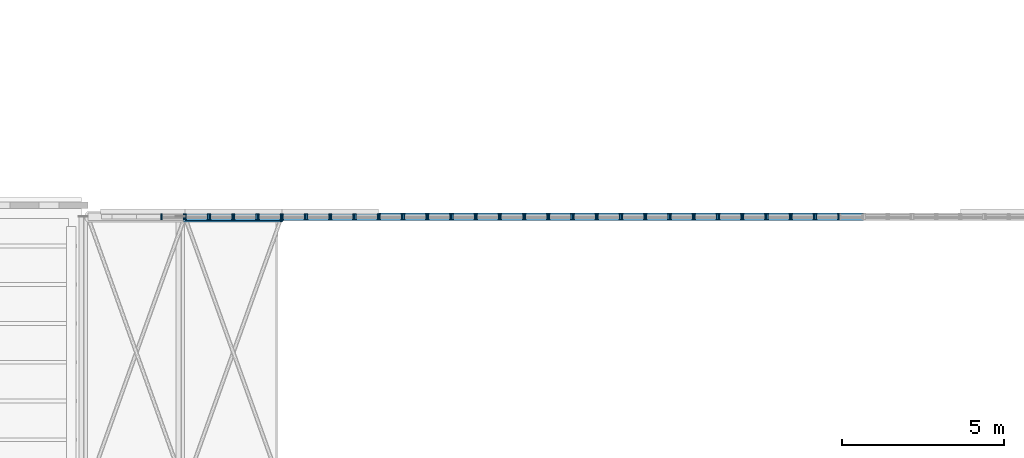
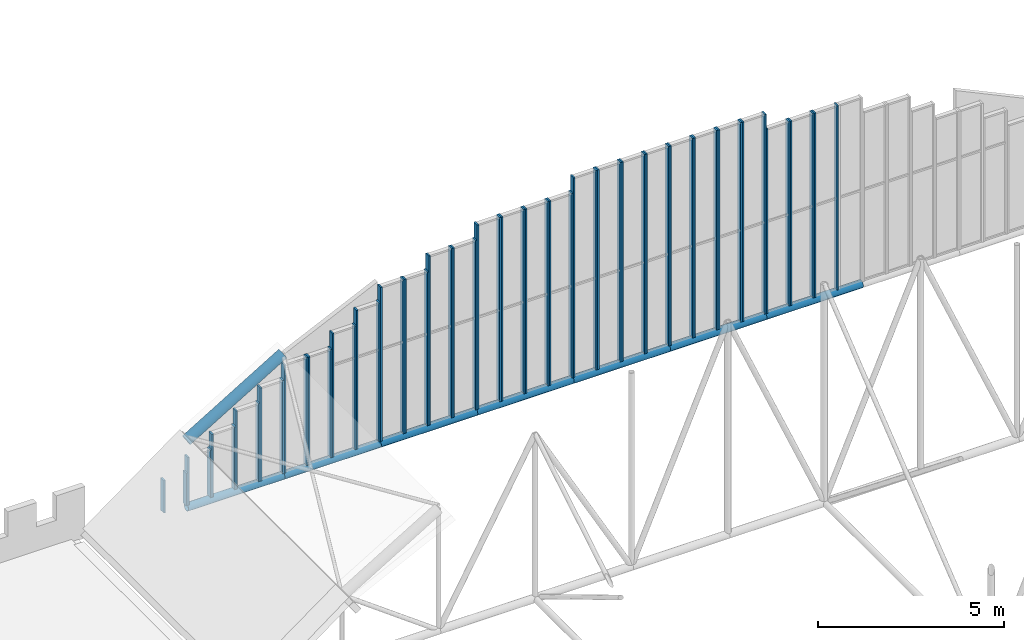
# One storey, part 79 of 153: 64 members, 28 elements without a shape of their own.
"""IFC4 building model written with IfcOpenShell, lengths in metres."""

from ifc_helpers import new_model, si_unit, direction, frame, origin, origin_2d, place, context, subcontext, project, spatial, rectangle, hollow_circle, extrude, material, material_profile, profile_set, type_object, element, aggregate, save


model = new_model("IFC4")

# Units and contexts
model_context = context("Model", 3, precision=1e-05, world=origin(), true_north=direction((0.0, 1.0)))
body_context = subcontext(model_context, "Body", "Model", "MODEL_VIEW")
ifc_project = project(units=[si_unit("LENGTHUNIT", "METRE"), si_unit("AREAUNIT", "SQUARE_METRE"), si_unit("VOLUMEUNIT", "CUBIC_METRE"), si_unit("PLANEANGLEUNIT", "RADIAN"), si_unit("MASSUNIT", "GRAM", prefix="KILO")], contexts=[model_context])

# Site, building, storey
site_placement = place(None, origin())
site = spatial("IfcSite", under=ifc_project, at=site_placement, CompositionType="ELEMENT")
building_placement = place(site_placement, origin())
building = spatial("IfcBuilding", under=site, at=building_placement, Name="Baradari Gate Terminus", CompositionType="ELEMENT")
storey_placement = place(building_placement, frame((0.0, 0.0, 11.699951171875)))
storey = spatial("IfcBuildingStorey", under=building, at=storey_placement, Name="L02", CompositionType="ELEMENT", Elevation=11.699951171875)

# Curtain wall, members
ifc_material_1 = material(Name="Aluminium 6063-T6", Category="aluminium")
curtain_wall_type = type_object("IfcCurtainWallType", Name="Curtain wall CW-60 hall gable glazing", PredefinedType="NOTDEFINED", material=ifc_material_1)
curtain_wall_1_placement = place(storey_placement, origin())
curtain_wall_1 = element("IfcCurtainWall", 1, at=curtain_wall_1_placement, inside=storey, type_object=curtain_wall_type, Name="Hall gable glazing N4", PredefinedType="NOTDEFINED")
ifc_material_2 = material(Name="Aluminium 6063-T6", Category="aluminium")
ifc_material_profile_1 = material_profile(ifc_material_2, rectangle(XDim=0.175048828125, YDim=0.050048828125, at=origin_2d()), Name="CM-60 50X175")
ifc_profile_set_1 = profile_set([ifc_material_profile_1], Name="Aluminium 6063-T6")
member_type_1 = type_object("IfcMemberType", Name="Curtain wall mullion CM-60 50x175", PredefinedType="MULLION", material=ifc_profile_set_1)
member_1_placement = place(storey_placement, frame((137.27490234375, 107.39990234375, 0.234619140625), z_axis=(0.0, 0.0, 1.0), x_axis=(0.0, 1.0, 0.0)))
member_1 = element("IfcMember", 2, at=member_1_placement, type_object=member_type_1, Name="CW-60 mullion 1", PredefinedType="MULLION", context=body_context, shape_type="SweptSolid", body=[
    extrude(rectangle(XDim=0.175048828125, YDim=0.050048828125, at=origin_2d()), origin(), (0.0, 0.0, 1.0), 1.0654296875),
])
member_2_placement = place(storey_placement, frame((137.97509765625, 107.39990234375, 0.234619140625), z_axis=(0.0, 0.0, 1.0), x_axis=(0.0, 1.0, 0.0)))
member_2 = element("IfcMember", 3, at=member_2_placement, type_object=member_type_1, Name="CW-60 mullion 2", PredefinedType="MULLION", context=body_context, shape_type="SweptSolid", body=[
    extrude(rectangle(XDim=0.175048828125, YDim=0.050048828125, at=origin_2d()), origin(), (0.0, 0.0, 1.0), 1.0654296875),
])
aggregate(curtain_wall_1, [member_1, member_2])

curtain_wall_2_placement = place(storey_placement, origin())
curtain_wall_2 = element("IfcCurtainWall", 4, at=curtain_wall_2_placement, inside=storey, type_object=curtain_wall_type, Name="Hall gable glazing N5", PredefinedType="NOTDEFINED")
member_3_placement = place(storey_placement, frame((138.02490234375, 107.39990234375, 0.234619140625), z_axis=(0.0, 0.0, 1.0), x_axis=(0.0, 1.0, 0.0)))
member_3 = element("IfcMember", 5, at=member_3_placement, type_object=member_type_1, Name="CW-60 mullion 1", PredefinedType="MULLION", context=body_context, shape_type="SweptSolid", body=[
    extrude(rectangle(XDim=0.175048828125, YDim=0.050048828125, at=origin_2d()), origin(), (0.0, 0.0, 1.0), 1.5654296875),
])
member_4_placement = place(storey_placement, frame((138.72509765625, 107.39990234375, 0.234619140625), z_axis=(0.0, 0.0, 1.0), x_axis=(0.0, 1.0, 0.0)))
member_4 = element("IfcMember", 6, at=member_4_placement, type_object=member_type_1, Name="CW-60 mullion 2", PredefinedType="MULLION", context=body_context, shape_type="SweptSolid", body=[
    extrude(rectangle(XDim=0.175048828125, YDim=0.050048828125, at=origin_2d()), origin(), (0.0, 0.0, 1.0), 1.5654296875),
])
aggregate(curtain_wall_2, [member_3, member_4])

curtain_wall_3_placement = place(storey_placement, origin())
curtain_wall_3 = element("IfcCurtainWall", 7, at=curtain_wall_3_placement, inside=storey, type_object=curtain_wall_type, Name="Hall gable glazing N6", PredefinedType="NOTDEFINED")
member_5_placement = place(storey_placement, frame((138.77490234375, 107.39990234375, 0.234619140625), z_axis=(0.0, 0.0, 1.0), x_axis=(0.0, 1.0, 0.0)))
member_5 = element("IfcMember", 8, at=member_5_placement, type_object=member_type_1, Name="CW-60 mullion 1", PredefinedType="MULLION", context=body_context, shape_type="SweptSolid", body=[
    extrude(rectangle(XDim=0.175048828125, YDim=0.050048828125, at=origin_2d()), origin(), (0.0, 0.0, 1.0), 2.0654296875),
])
member_6_placement = place(storey_placement, frame((139.47509765625, 107.39990234375, 0.234619140625), z_axis=(0.0, 0.0, 1.0), x_axis=(0.0, 1.0, 0.0)))
member_6 = element("IfcMember", 9, at=member_6_placement, type_object=member_type_1, Name="CW-60 mullion 2", PredefinedType="MULLION", context=body_context, shape_type="SweptSolid", body=[
    extrude(rectangle(XDim=0.175048828125, YDim=0.050048828125, at=origin_2d()), origin(), (0.0, 0.0, 1.0), 2.0654296875),
])
aggregate(curtain_wall_3, [member_5, member_6])

curtain_wall_4_placement = place(storey_placement, origin())
curtain_wall_4 = element("IfcCurtainWall", 10, at=curtain_wall_4_placement, inside=storey, type_object=curtain_wall_type, Name="Hall gable glazing N7", PredefinedType="NOTDEFINED")
member_7_placement = place(storey_placement, frame((139.52490234375, 107.39990234375, 0.234619140625), z_axis=(0.0, 0.0, 1.0), x_axis=(0.0, 1.0, 0.0)))
member_7 = element("IfcMember", 11, at=member_7_placement, type_object=member_type_1, Name="CW-60 mullion 1", PredefinedType="MULLION", context=body_context, shape_type="SweptSolid", body=[
    extrude(rectangle(XDim=0.175048828125, YDim=0.050048828125, at=origin_2d()), origin(), (0.0, 0.0, 1.0), 2.5654296875),
])
member_8_placement = place(storey_placement, frame((140.22509765625, 107.39990234375, 0.234619140625), z_axis=(0.0, 0.0, 1.0), x_axis=(0.0, 1.0, 0.0)))
member_8 = element("IfcMember", 12, at=member_8_placement, type_object=member_type_1, Name="CW-60 mullion 2", PredefinedType="MULLION", context=body_context, shape_type="SweptSolid", body=[
    extrude(rectangle(XDim=0.175048828125, YDim=0.050048828125, at=origin_2d()), origin(), (0.0, 0.0, 1.0), 2.5654296875),
])
aggregate(curtain_wall_4, [member_7, member_8])

curtain_wall_5_placement = place(storey_placement, origin())
curtain_wall_5 = element("IfcCurtainWall", 13, at=curtain_wall_5_placement, inside=storey, type_object=curtain_wall_type, Name="Hall gable glazing N8", PredefinedType="NOTDEFINED")
member_9_placement = place(storey_placement, frame((140.27490234375, 107.39990234375, 0.234619140625), z_axis=(0.0, 0.0, 1.0), x_axis=(0.0, 1.0, 0.0)))
member_9 = element("IfcMember", 14, at=member_9_placement, type_object=member_type_1, Name="CW-60 mullion 1", PredefinedType="MULLION", context=body_context, shape_type="SweptSolid", body=[
    extrude(rectangle(XDim=0.175048828125, YDim=0.050048828125, at=origin_2d()), origin(), (0.0, 0.0, 1.0), 3.0654296875),
])
member_10_placement = place(storey_placement, frame((140.97509765625, 107.39990234375, 0.234619140625), z_axis=(0.0, 0.0, 1.0), x_axis=(0.0, 1.0, 0.0)))
member_10 = element("IfcMember", 15, at=member_10_placement, type_object=member_type_1, Name="CW-60 mullion 2", PredefinedType="MULLION", context=body_context, shape_type="SweptSolid", body=[
    extrude(rectangle(XDim=0.175048828125, YDim=0.050048828125, at=origin_2d()), origin(), (0.0, 0.0, 1.0), 3.0654296875),
])
aggregate(curtain_wall_5, [member_9, member_10])

curtain_wall_6_placement = place(storey_placement, origin())
curtain_wall_6 = element("IfcCurtainWall", 16, at=curtain_wall_6_placement, inside=storey, type_object=curtain_wall_type, Name="Hall gable glazing N9", PredefinedType="NOTDEFINED")
member_11_placement = place(storey_placement, frame((141.02490234375, 107.39990234375, 0.234619140625), z_axis=(0.0, 0.0, 1.0), x_axis=(0.0, 1.0, 0.0)))
member_11 = element("IfcMember", 17, at=member_11_placement, type_object=member_type_1, Name="CW-60 mullion 1", PredefinedType="MULLION", context=body_context, shape_type="SweptSolid", body=[
    extrude(rectangle(XDim=0.175048828125, YDim=0.050048828125, at=origin_2d()), origin(), (0.0, 0.0, 1.0), 3.5654296875),
])
member_12_placement = place(storey_placement, frame((141.72509765625, 107.39990234375, 0.234619140625), z_axis=(0.0, 0.0, 1.0), x_axis=(0.0, 1.0, 0.0)))
member_12 = element("IfcMember", 18, at=member_12_placement, type_object=member_type_1, Name="CW-60 mullion 2", PredefinedType="MULLION", context=body_context, shape_type="SweptSolid", body=[
    extrude(rectangle(XDim=0.175048828125, YDim=0.050048828125, at=origin_2d()), origin(), (0.0, 0.0, 1.0), 3.5654296875),
])
aggregate(curtain_wall_6, [member_11, member_12])

curtain_wall_7_placement = place(storey_placement, origin())
curtain_wall_7 = element("IfcCurtainWall", 19, at=curtain_wall_7_placement, inside=storey, type_object=curtain_wall_type, Name="Hall gable glazing N10", PredefinedType="NOTDEFINED")
member_13_placement = place(storey_placement, frame((141.77490234375, 107.39990234375, 0.234619140625), z_axis=(0.0, 0.0, 1.0), x_axis=(0.0, 1.0, 0.0)))
member_13 = element("IfcMember", 20, at=member_13_placement, type_object=member_type_1, Name="CW-60 mullion 1", PredefinedType="MULLION", context=body_context, shape_type="SweptSolid", body=[
    extrude(rectangle(XDim=0.175048828125, YDim=0.050048828125, at=origin_2d()), origin(), (0.0, 0.0, 1.0), 3.5654296875),
])
member_14_placement = place(storey_placement, frame((142.47509765625, 107.39990234375, 0.234619140625), z_axis=(0.0, 0.0, 1.0), x_axis=(0.0, 1.0, 0.0)))
member_14 = element("IfcMember", 21, at=member_14_placement, type_object=member_type_1, Name="CW-60 mullion 2", PredefinedType="MULLION", context=body_context, shape_type="SweptSolid", body=[
    extrude(rectangle(XDim=0.175048828125, YDim=0.050048828125, at=origin_2d()), origin(), (0.0, 0.0, 1.0), 3.5654296875),
])
aggregate(curtain_wall_7, [member_13, member_14])

curtain_wall_8_placement = place(storey_placement, origin())
curtain_wall_8 = element("IfcCurtainWall", 22, at=curtain_wall_8_placement, inside=storey, type_object=curtain_wall_type, Name="Hall gable glazing N11", PredefinedType="NOTDEFINED")
member_15_placement = place(storey_placement, frame((142.52490234375, 107.39990234375, 0.234619140625), z_axis=(0.0, 0.0, 1.0), x_axis=(0.0, 1.0, 0.0)))
member_15 = element("IfcMember", 23, at=member_15_placement, type_object=member_type_1, Name="CW-60 mullion 1", PredefinedType="MULLION", context=body_context, shape_type="SweptSolid", body=[
    extrude(rectangle(XDim=0.175048828125, YDim=0.050048828125, at=origin_2d()), origin(), (0.0, 0.0, 1.0), 4.0654296875),
])
member_16_placement = place(storey_placement, frame((143.22509765625, 107.39990234375, 0.234619140625), z_axis=(0.0, 0.0, 1.0), x_axis=(0.0, 1.0, 0.0)))
member_16 = element("IfcMember", 24, at=member_16_placement, type_object=member_type_1, Name="CW-60 mullion 2", PredefinedType="MULLION", context=body_context, shape_type="SweptSolid", body=[
    extrude(rectangle(XDim=0.175048828125, YDim=0.050048828125, at=origin_2d()), origin(), (0.0, 0.0, 1.0), 4.0654296875),
])
aggregate(curtain_wall_8, [member_15, member_16])

curtain_wall_9_placement = place(storey_placement, origin())
curtain_wall_9 = element("IfcCurtainWall", 25, at=curtain_wall_9_placement, inside=storey, type_object=curtain_wall_type, Name="Hall gable glazing N12", PredefinedType="NOTDEFINED")
member_17_placement = place(storey_placement, frame((143.27490234375, 107.39990234375, 0.234619140625), z_axis=(0.0, 0.0, 1.0), x_axis=(0.0, 1.0, 0.0)))
member_17 = element("IfcMember", 26, at=member_17_placement, type_object=member_type_1, Name="CW-60 mullion 1", PredefinedType="MULLION", context=body_context, shape_type="SweptSolid", body=[
    extrude(rectangle(XDim=0.175048828125, YDim=0.050048828125, at=origin_2d()), origin(), (0.0, 0.0, 1.0), 4.5654296875),
])
member_18_placement = place(storey_placement, frame((143.97509765625, 107.39990234375, 0.234619140625), z_axis=(0.0, 0.0, 1.0), x_axis=(0.0, 1.0, 0.0)))
member_18 = element("IfcMember", 27, at=member_18_placement, type_object=member_type_1, Name="CW-60 mullion 2", PredefinedType="MULLION", context=body_context, shape_type="SweptSolid", body=[
    extrude(rectangle(XDim=0.175048828125, YDim=0.050048828125, at=origin_2d()), origin(), (0.0, 0.0, 1.0), 4.5654296875),
])
aggregate(curtain_wall_9, [member_17, member_18])

curtain_wall_10_placement = place(storey_placement, origin())
curtain_wall_10 = element("IfcCurtainWall", 28, at=curtain_wall_10_placement, inside=storey, type_object=curtain_wall_type, Name="Hall gable glazing N13", PredefinedType="NOTDEFINED")
member_19_placement = place(storey_placement, frame((144.02490234375, 107.39990234375, 0.234619140625), z_axis=(0.0, 0.0, 1.0), x_axis=(0.0, 1.0, 0.0)))
member_19 = element("IfcMember", 29, at=member_19_placement, type_object=member_type_1, Name="CW-60 mullion 1", PredefinedType="MULLION", context=body_context, shape_type="SweptSolid", body=[
    extrude(rectangle(XDim=0.175048828125, YDim=0.050048828125, at=origin_2d()), origin(), (0.0, 0.0, 1.0), 5.0654296875),
])
member_20_placement = place(storey_placement, frame((144.72509765625, 107.39990234375, 0.234619140625), z_axis=(0.0, 0.0, 1.0), x_axis=(0.0, 1.0, 0.0)))
member_20 = element("IfcMember", 30, at=member_20_placement, type_object=member_type_1, Name="CW-60 mullion 2", PredefinedType="MULLION", context=body_context, shape_type="SweptSolid", body=[
    extrude(rectangle(XDim=0.175048828125, YDim=0.050048828125, at=origin_2d()), origin(), (0.0, 0.0, 1.0), 5.0654296875),
])
aggregate(curtain_wall_10, [member_19, member_20])

curtain_wall_11_placement = place(storey_placement, origin())
curtain_wall_11 = element("IfcCurtainWall", 31, at=curtain_wall_11_placement, inside=storey, type_object=curtain_wall_type, Name="Hall gable glazing N14", PredefinedType="NOTDEFINED")
member_21_placement = place(storey_placement, frame((144.77490234375, 107.39990234375, 0.234619140625), z_axis=(0.0, 0.0, 1.0), x_axis=(0.0, 1.0, 0.0)))
member_21 = element("IfcMember", 32, at=member_21_placement, type_object=member_type_1, Name="CW-60 mullion 1", PredefinedType="MULLION", context=body_context, shape_type="SweptSolid", body=[
    extrude(rectangle(XDim=0.175048828125, YDim=0.050048828125, at=origin_2d()), origin(), (0.0, 0.0, 1.0), 5.0654296875),
])
member_22_placement = place(storey_placement, frame((145.47509765625, 107.39990234375, 0.234619140625), z_axis=(0.0, 0.0, 1.0), x_axis=(0.0, 1.0, 0.0)))
member_22 = element("IfcMember", 33, at=member_22_placement, type_object=member_type_1, Name="CW-60 mullion 2", PredefinedType="MULLION", context=body_context, shape_type="SweptSolid", body=[
    extrude(rectangle(XDim=0.175048828125, YDim=0.050048828125, at=origin_2d()), origin(), (0.0, 0.0, 1.0), 5.0654296875),
])
aggregate(curtain_wall_11, [member_21, member_22])

curtain_wall_12_placement = place(storey_placement, origin())
curtain_wall_12 = element("IfcCurtainWall", 34, at=curtain_wall_12_placement, inside=storey, type_object=curtain_wall_type, Name="Hall gable glazing N15", PredefinedType="NOTDEFINED")
member_23_placement = place(storey_placement, frame((145.52490234375, 107.39990234375, 0.234619140625), z_axis=(0.0, 0.0, 1.0), x_axis=(0.0, 1.0, 0.0)))
member_23 = element("IfcMember", 35, at=member_23_placement, type_object=member_type_1, Name="CW-60 mullion 1", PredefinedType="MULLION", context=body_context, shape_type="SweptSolid", body=[
    extrude(rectangle(XDim=0.175048828125, YDim=0.050048828125, at=origin_2d()), origin(), (0.0, 0.0, 1.0), 5.5654296875),
])
member_24_placement = place(storey_placement, frame((146.22509765625, 107.39990234375, 0.234619140625), z_axis=(0.0, 0.0, 1.0), x_axis=(0.0, 1.0, 0.0)))
member_24 = element("IfcMember", 36, at=member_24_placement, type_object=member_type_1, Name="CW-60 mullion 2", PredefinedType="MULLION", context=body_context, shape_type="SweptSolid", body=[
    extrude(rectangle(XDim=0.175048828125, YDim=0.050048828125, at=origin_2d()), origin(), (0.0, 0.0, 1.0), 5.5654296875),
])
aggregate(curtain_wall_12, [member_23, member_24])

curtain_wall_13_placement = place(storey_placement, origin())
curtain_wall_13 = element("IfcCurtainWall", 37, at=curtain_wall_13_placement, inside=storey, type_object=curtain_wall_type, Name="Hall gable glazing N16", PredefinedType="NOTDEFINED")
member_25_placement = place(storey_placement, frame((146.27490234375, 107.39990234375, 0.234619140625), z_axis=(0.0, 0.0, 1.0), x_axis=(0.0, 1.0, 0.0)))
member_25 = element("IfcMember", 38, at=member_25_placement, type_object=member_type_1, Name="CW-60 mullion 1", PredefinedType="MULLION", context=body_context, shape_type="SweptSolid", body=[
    extrude(rectangle(XDim=0.175048828125, YDim=0.050048828125, at=origin_2d()), origin(), (0.0, 0.0, 1.0), 5.5654296875),
])
member_26_placement = place(storey_placement, frame((146.97509765625, 107.39990234375, 0.234619140625), z_axis=(0.0, 0.0, 1.0), x_axis=(0.0, 1.0, 0.0)))
member_26 = element("IfcMember", 39, at=member_26_placement, type_object=member_type_1, Name="CW-60 mullion 2", PredefinedType="MULLION", context=body_context, shape_type="SweptSolid", body=[
    extrude(rectangle(XDim=0.175048828125, YDim=0.050048828125, at=origin_2d()), origin(), (0.0, 0.0, 1.0), 5.5654296875),
])
aggregate(curtain_wall_13, [member_25, member_26])

curtain_wall_14_placement = place(storey_placement, origin())
curtain_wall_14 = element("IfcCurtainWall", 40, at=curtain_wall_14_placement, inside=storey, type_object=curtain_wall_type, Name="Hall gable glazing N17", PredefinedType="NOTDEFINED")
member_27_placement = place(storey_placement, frame((147.02490234375, 107.39990234375, 0.234619140625), z_axis=(0.0, 0.0, 1.0), x_axis=(0.0, 1.0, 0.0)))
member_27 = element("IfcMember", 41, at=member_27_placement, type_object=member_type_1, Name="CW-60 mullion 1", PredefinedType="MULLION", context=body_context, shape_type="SweptSolid", body=[
    extrude(rectangle(XDim=0.175048828125, YDim=0.050048828125, at=origin_2d()), origin(), (0.0, 0.0, 1.0), 6.0654296875),
])
member_28_placement = place(storey_placement, frame((147.72509765625, 107.39990234375, 0.234619140625), z_axis=(0.0, 0.0, 1.0), x_axis=(0.0, 1.0, 0.0)))
member_28 = element("IfcMember", 42, at=member_28_placement, type_object=member_type_1, Name="CW-60 mullion 2", PredefinedType="MULLION", context=body_context, shape_type="SweptSolid", body=[
    extrude(rectangle(XDim=0.175048828125, YDim=0.050048828125, at=origin_2d()), origin(), (0.0, 0.0, 1.0), 6.0654296875),
])
aggregate(curtain_wall_14, [member_27, member_28])

curtain_wall_15_placement = place(storey_placement, origin())
curtain_wall_15 = element("IfcCurtainWall", 43, at=curtain_wall_15_placement, inside=storey, type_object=curtain_wall_type, Name="Hall gable glazing N18", PredefinedType="NOTDEFINED")
member_29_placement = place(storey_placement, frame((147.77490234375, 107.39990234375, 0.234619140625), z_axis=(0.0, 0.0, 1.0), x_axis=(0.0, 1.0, 0.0)))
member_29 = element("IfcMember", 44, at=member_29_placement, type_object=member_type_1, Name="CW-60 mullion 1", PredefinedType="MULLION", context=body_context, shape_type="SweptSolid", body=[
    extrude(rectangle(XDim=0.175048828125, YDim=0.050048828125, at=origin_2d()), origin(), (0.0, 0.0, 1.0), 6.0654296875),
])
member_30_placement = place(storey_placement, frame((148.47509765625, 107.39990234375, 0.234619140625), z_axis=(0.0, 0.0, 1.0), x_axis=(0.0, 1.0, 0.0)))
member_30 = element("IfcMember", 45, at=member_30_placement, type_object=member_type_1, Name="CW-60 mullion 2", PredefinedType="MULLION", context=body_context, shape_type="SweptSolid", body=[
    extrude(rectangle(XDim=0.175048828125, YDim=0.050048828125, at=origin_2d()), origin(), (0.0, 0.0, 1.0), 6.0654296875),
])
aggregate(curtain_wall_15, [member_29, member_30])

curtain_wall_16_placement = place(storey_placement, origin())
curtain_wall_16 = element("IfcCurtainWall", 46, at=curtain_wall_16_placement, inside=storey, type_object=curtain_wall_type, Name="Hall gable glazing N19", PredefinedType="NOTDEFINED")
member_31_placement = place(storey_placement, frame((148.52490234375, 107.39990234375, 0.234619140625), z_axis=(0.0, 0.0, 1.0), x_axis=(0.0, 1.0, 0.0)))
member_31 = element("IfcMember", 47, at=member_31_placement, type_object=member_type_1, Name="CW-60 mullion 1", PredefinedType="MULLION", context=body_context, shape_type="SweptSolid", body=[
    extrude(rectangle(XDim=0.175048828125, YDim=0.050048828125, at=origin_2d()), origin(), (0.0, 0.0, 1.0), 6.0654296875),
])
member_32_placement = place(storey_placement, frame((149.22509765625, 107.39990234375, 0.234619140625), z_axis=(0.0, 0.0, 1.0), x_axis=(0.0, 1.0, 0.0)))
member_32 = element("IfcMember", 48, at=member_32_placement, type_object=member_type_1, Name="CW-60 mullion 2", PredefinedType="MULLION", context=body_context, shape_type="SweptSolid", body=[
    extrude(rectangle(XDim=0.175048828125, YDim=0.050048828125, at=origin_2d()), origin(), (0.0, 0.0, 1.0), 6.0654296875),
])
aggregate(curtain_wall_16, [member_31, member_32])

curtain_wall_17_placement = place(storey_placement, origin())
curtain_wall_17 = element("IfcCurtainWall", 49, at=curtain_wall_17_placement, inside=storey, type_object=curtain_wall_type, Name="Hall gable glazing N20", PredefinedType="NOTDEFINED")
member_33_placement = place(storey_placement, frame((149.27490234375, 107.39990234375, 0.234619140625), z_axis=(0.0, 0.0, 1.0), x_axis=(0.0, 1.0, 0.0)))
member_33 = element("IfcMember", 50, at=member_33_placement, type_object=member_type_1, Name="CW-60 mullion 1", PredefinedType="MULLION", context=body_context, shape_type="SweptSolid", body=[
    extrude(rectangle(XDim=0.175048828125, YDim=0.050048828125, at=origin_2d()), origin(), (0.0, 0.0, 1.0), 6.0654296875),
])
member_34_placement = place(storey_placement, frame((149.97509765625, 107.39990234375, 0.234619140625), z_axis=(0.0, 0.0, 1.0), x_axis=(0.0, 1.0, 0.0)))
member_34 = element("IfcMember", 51, at=member_34_placement, type_object=member_type_1, Name="CW-60 mullion 2", PredefinedType="MULLION", context=body_context, shape_type="SweptSolid", body=[
    extrude(rectangle(XDim=0.175048828125, YDim=0.050048828125, at=origin_2d()), origin(), (0.0, 0.0, 1.0), 6.0654296875),
])
aggregate(curtain_wall_17, [member_33, member_34])

curtain_wall_18_placement = place(storey_placement, origin())
curtain_wall_18 = element("IfcCurtainWall", 52, at=curtain_wall_18_placement, inside=storey, type_object=curtain_wall_type, Name="Hall gable glazing N21", PredefinedType="NOTDEFINED")
member_35_placement = place(storey_placement, frame((150.02490234375, 107.39990234375, 0.234619140625), z_axis=(0.0, 0.0, 1.0), x_axis=(0.0, 1.0, 0.0)))
member_35 = element("IfcMember", 53, at=member_35_placement, type_object=member_type_1, Name="CW-60 mullion 1", PredefinedType="MULLION", context=body_context, shape_type="SweptSolid", body=[
    extrude(rectangle(XDim=0.175048828125, YDim=0.050048828125, at=origin_2d()), origin(), (0.0, 0.0, 1.0), 6.5654296875),
])
member_36_placement = place(storey_placement, frame((150.72509765625, 107.39990234375, 0.234619140625), z_axis=(0.0, 0.0, 1.0), x_axis=(0.0, 1.0, 0.0)))
member_36 = element("IfcMember", 54, at=member_36_placement, type_object=member_type_1, Name="CW-60 mullion 2", PredefinedType="MULLION", context=body_context, shape_type="SweptSolid", body=[
    extrude(rectangle(XDim=0.175048828125, YDim=0.050048828125, at=origin_2d()), origin(), (0.0, 0.0, 1.0), 6.5654296875),
])
aggregate(curtain_wall_18, [member_35, member_36])

curtain_wall_19_placement = place(storey_placement, origin())
curtain_wall_19 = element("IfcCurtainWall", 55, at=curtain_wall_19_placement, inside=storey, type_object=curtain_wall_type, Name="Hall gable glazing N22", PredefinedType="NOTDEFINED")
member_37_placement = place(storey_placement, frame((150.77490234375, 107.39990234375, 0.234619140625), z_axis=(0.0, 0.0, 1.0), x_axis=(0.0, 1.0, 0.0)))
member_37 = element("IfcMember", 56, at=member_37_placement, type_object=member_type_1, Name="CW-60 mullion 1", PredefinedType="MULLION", context=body_context, shape_type="SweptSolid", body=[
    extrude(rectangle(XDim=0.175048828125, YDim=0.050048828125, at=origin_2d()), origin(), (0.0, 0.0, 1.0), 6.5654296875),
])
member_38_placement = place(storey_placement, frame((151.47509765625, 107.39990234375, 0.234619140625), z_axis=(0.0, 0.0, 1.0), x_axis=(0.0, 1.0, 0.0)))
member_38 = element("IfcMember", 57, at=member_38_placement, type_object=member_type_1, Name="CW-60 mullion 2", PredefinedType="MULLION", context=body_context, shape_type="SweptSolid", body=[
    extrude(rectangle(XDim=0.175048828125, YDim=0.050048828125, at=origin_2d()), origin(), (0.0, 0.0, 1.0), 6.5654296875),
])
aggregate(curtain_wall_19, [member_37, member_38])

curtain_wall_20_placement = place(storey_placement, origin())
curtain_wall_20 = element("IfcCurtainWall", 58, at=curtain_wall_20_placement, inside=storey, type_object=curtain_wall_type, Name="Hall gable glazing N23", PredefinedType="NOTDEFINED")
member_39_placement = place(storey_placement, frame((151.52490234375, 107.39990234375, 0.234619140625), z_axis=(0.0, 0.0, 1.0), x_axis=(0.0, 1.0, 0.0)))
member_39 = element("IfcMember", 59, at=member_39_placement, type_object=member_type_1, Name="CW-60 mullion 1", PredefinedType="MULLION", context=body_context, shape_type="SweptSolid", body=[
    extrude(rectangle(XDim=0.175048828125, YDim=0.050048828125, at=origin_2d()), origin(), (0.0, 0.0, 1.0), 6.5654296875),
])
member_40_placement = place(storey_placement, frame((152.22509765625, 107.39990234375, 0.234619140625), z_axis=(0.0, 0.0, 1.0), x_axis=(0.0, 1.0, 0.0)))
member_40 = element("IfcMember", 60, at=member_40_placement, type_object=member_type_1, Name="CW-60 mullion 2", PredefinedType="MULLION", context=body_context, shape_type="SweptSolid", body=[
    extrude(rectangle(XDim=0.175048828125, YDim=0.050048828125, at=origin_2d()), origin(), (0.0, 0.0, 1.0), 6.5654296875),
])
aggregate(curtain_wall_20, [member_39, member_40])

curtain_wall_21_placement = place(storey_placement, origin())
curtain_wall_21 = element("IfcCurtainWall", 61, at=curtain_wall_21_placement, inside=storey, type_object=curtain_wall_type, Name="Hall gable glazing N24", PredefinedType="NOTDEFINED")
member_41_placement = place(storey_placement, frame((152.27490234375, 107.39990234375, 0.234619140625), z_axis=(0.0, 0.0, 1.0), x_axis=(0.0, 1.0, 0.0)))
member_41 = element("IfcMember", 62, at=member_41_placement, type_object=member_type_1, Name="CW-60 mullion 1", PredefinedType="MULLION", context=body_context, shape_type="SweptSolid", body=[
    extrude(rectangle(XDim=0.175048828125, YDim=0.050048828125, at=origin_2d()), origin(), (0.0, 0.0, 1.0), 6.5654296875),
])
member_42_placement = place(storey_placement, frame((152.97509765625, 107.39990234375, 0.234619140625), z_axis=(0.0, 0.0, 1.0), x_axis=(0.0, 1.0, 0.0)))
member_42 = element("IfcMember", 63, at=member_42_placement, type_object=member_type_1, Name="CW-60 mullion 2", PredefinedType="MULLION", context=body_context, shape_type="SweptSolid", body=[
    extrude(rectangle(XDim=0.175048828125, YDim=0.050048828125, at=origin_2d()), origin(), (0.0, 0.0, 1.0), 6.5654296875),
])
aggregate(curtain_wall_21, [member_41, member_42])

curtain_wall_22_placement = place(storey_placement, origin())
curtain_wall_22 = element("IfcCurtainWall", 64, at=curtain_wall_22_placement, inside=storey, type_object=curtain_wall_type, Name="Hall gable glazing N25", PredefinedType="NOTDEFINED")
member_43_placement = place(storey_placement, frame((153.02490234375, 107.39990234375, 0.234619140625), z_axis=(0.0, 0.0, 1.0), x_axis=(0.0, 1.0, 0.0)))
member_43 = element("IfcMember", 65, at=member_43_placement, type_object=member_type_1, Name="CW-60 mullion 1", PredefinedType="MULLION", context=body_context, shape_type="SweptSolid", body=[
    extrude(rectangle(XDim=0.175048828125, YDim=0.050048828125, at=origin_2d()), origin(), (0.0, 0.0, 1.0), 6.5654296875),
])
member_44_placement = place(storey_placement, frame((153.72509765625, 107.39990234375, 0.234619140625), z_axis=(0.0, 0.0, 1.0), x_axis=(0.0, 1.0, 0.0)))
member_44 = element("IfcMember", 66, at=member_44_placement, type_object=member_type_1, Name="CW-60 mullion 2", PredefinedType="MULLION", context=body_context, shape_type="SweptSolid", body=[
    extrude(rectangle(XDim=0.175048828125, YDim=0.050048828125, at=origin_2d()), origin(), (0.0, 0.0, 1.0), 6.5654296875),
])
aggregate(curtain_wall_22, [member_43, member_44])

curtain_wall_23_placement = place(storey_placement, origin())
curtain_wall_23 = element("IfcCurtainWall", 67, at=curtain_wall_23_placement, inside=storey, type_object=curtain_wall_type, Name="Hall gable glazing N26", PredefinedType="NOTDEFINED")
member_45_placement = place(storey_placement, frame((153.77490234375, 107.39990234375, 0.234619140625), z_axis=(0.0, 0.0, 1.0), x_axis=(0.0, 1.0, 0.0)))
member_45 = element("IfcMember", 68, at=member_45_placement, type_object=member_type_1, Name="CW-60 mullion 1", PredefinedType="MULLION", context=body_context, shape_type="SweptSolid", body=[
    extrude(rectangle(XDim=0.175048828125, YDim=0.050048828125, at=origin_2d()), origin(), (0.0, 0.0, 1.0), 6.5654296875),
])
member_46_placement = place(storey_placement, frame((154.47509765625, 107.39990234375, 0.234619140625), z_axis=(0.0, 0.0, 1.0), x_axis=(0.0, 1.0, 0.0)))
member_46 = element("IfcMember", 69, at=member_46_placement, type_object=member_type_1, Name="CW-60 mullion 2", PredefinedType="MULLION", context=body_context, shape_type="SweptSolid", body=[
    extrude(rectangle(XDim=0.175048828125, YDim=0.050048828125, at=origin_2d()), origin(), (0.0, 0.0, 1.0), 6.5654296875),
])
aggregate(curtain_wall_23, [member_45, member_46])

curtain_wall_24_placement = place(storey_placement, origin())
curtain_wall_24 = element("IfcCurtainWall", 70, at=curtain_wall_24_placement, inside=storey, type_object=curtain_wall_type, Name="Hall gable glazing N27", PredefinedType="NOTDEFINED")
member_47_placement = place(storey_placement, frame((154.52490234375, 107.39990234375, 0.234619140625), z_axis=(0.0, 0.0, 1.0), x_axis=(0.0, 1.0, 0.0)))
member_47 = element("IfcMember", 71, at=member_47_placement, type_object=member_type_1, Name="CW-60 mullion 1", PredefinedType="MULLION", context=body_context, shape_type="SweptSolid", body=[
    extrude(rectangle(XDim=0.175048828125, YDim=0.050048828125, at=origin_2d()), origin(), (0.0, 0.0, 1.0), 6.5654296875),
])
member_48_placement = place(storey_placement, frame((155.22509765625, 107.39990234375, 0.234619140625), z_axis=(0.0, 0.0, 1.0), x_axis=(0.0, 1.0, 0.0)))
member_48 = element("IfcMember", 72, at=member_48_placement, type_object=member_type_1, Name="CW-60 mullion 2", PredefinedType="MULLION", context=body_context, shape_type="SweptSolid", body=[
    extrude(rectangle(XDim=0.175048828125, YDim=0.050048828125, at=origin_2d()), origin(), (0.0, 0.0, 1.0), 6.5654296875),
])
aggregate(curtain_wall_24, [member_47, member_48])

curtain_wall_25_placement = place(storey_placement, origin())
curtain_wall_25 = element("IfcCurtainWall", 73, at=curtain_wall_25_placement, inside=storey, type_object=curtain_wall_type, Name="Hall gable glazing N28", PredefinedType="NOTDEFINED")
member_49_placement = place(storey_placement, frame((155.27490234375, 107.39990234375, 0.234619140625), z_axis=(0.0, 0.0, 1.0), x_axis=(0.0, 1.0, 0.0)))
member_49 = element("IfcMember", 74, at=member_49_placement, type_object=member_type_1, Name="CW-60 mullion 1", PredefinedType="MULLION", context=body_context, shape_type="SweptSolid", body=[
    extrude(rectangle(XDim=0.175048828125, YDim=0.050048828125, at=origin_2d()), origin(), (0.0, 0.0, 1.0), 6.5654296875),
])
member_50_placement = place(storey_placement, frame((155.97509765625, 107.39990234375, 0.234619140625), z_axis=(0.0, 0.0, 1.0), x_axis=(0.0, 1.0, 0.0)))
member_50 = element("IfcMember", 75, at=member_50_placement, type_object=member_type_1, Name="CW-60 mullion 2", PredefinedType="MULLION", context=body_context, shape_type="SweptSolid", body=[
    extrude(rectangle(XDim=0.175048828125, YDim=0.050048828125, at=origin_2d()), origin(), (0.0, 0.0, 1.0), 6.5654296875),
])
aggregate(curtain_wall_25, [member_49, member_50])

curtain_wall_26_placement = place(storey_placement, origin())
curtain_wall_26 = element("IfcCurtainWall", 76, at=curtain_wall_26_placement, inside=storey, type_object=curtain_wall_type, Name="Hall gable glazing N29", PredefinedType="NOTDEFINED")
member_51_placement = place(storey_placement, frame((156.02490234375, 107.39990234375, 0.234619140625), z_axis=(0.0, 0.0, 1.0), x_axis=(0.0, 1.0, 0.0)))
member_51 = element("IfcMember", 77, at=member_51_placement, type_object=member_type_1, Name="CW-60 mullion 1", PredefinedType="MULLION", context=body_context, shape_type="SweptSolid", body=[
    extrude(rectangle(XDim=0.175048828125, YDim=0.050048828125, at=origin_2d()), origin(), (0.0, 0.0, 1.0), 6.0654296875),
])
member_52_placement = place(storey_placement, frame((156.72509765625, 107.39990234375, 0.234619140625), z_axis=(0.0, 0.0, 1.0), x_axis=(0.0, 1.0, 0.0)))
member_52 = element("IfcMember", 78, at=member_52_placement, type_object=member_type_1, Name="CW-60 mullion 2", PredefinedType="MULLION", context=body_context, shape_type="SweptSolid", body=[
    extrude(rectangle(XDim=0.175048828125, YDim=0.050048828125, at=origin_2d()), origin(), (0.0, 0.0, 1.0), 6.0654296875),
])
aggregate(curtain_wall_26, [member_51, member_52])

curtain_wall_27_placement = place(storey_placement, origin())
curtain_wall_27 = element("IfcCurtainWall", 79, at=curtain_wall_27_placement, inside=storey, type_object=curtain_wall_type, Name="Hall gable glazing N30", PredefinedType="NOTDEFINED")
member_53_placement = place(storey_placement, frame((156.77490234375, 107.39990234375, 0.234619140625), z_axis=(0.0, 0.0, 1.0), x_axis=(0.0, 1.0, 0.0)))
member_53 = element("IfcMember", 80, at=member_53_placement, type_object=member_type_1, Name="CW-60 mullion 1", PredefinedType="MULLION", context=body_context, shape_type="SweptSolid", body=[
    extrude(rectangle(XDim=0.175048828125, YDim=0.050048828125, at=origin_2d()), origin(), (0.0, 0.0, 1.0), 6.0654296875),
])
member_54_placement = place(storey_placement, frame((157.47509765625, 107.39990234375, 0.234619140625), z_axis=(0.0, 0.0, 1.0), x_axis=(0.0, 1.0, 0.0)))
member_54 = element("IfcMember", 81, at=member_54_placement, type_object=member_type_1, Name="CW-60 mullion 2", PredefinedType="MULLION", context=body_context, shape_type="SweptSolid", body=[
    extrude(rectangle(XDim=0.175048828125, YDim=0.050048828125, at=origin_2d()), origin(), (0.0, 0.0, 1.0), 6.0654296875),
])
aggregate(curtain_wall_27, [member_53, member_54])

curtain_wall_28_placement = place(storey_placement, origin())
curtain_wall_28 = element("IfcCurtainWall", 82, at=curtain_wall_28_placement, inside=storey, type_object=curtain_wall_type, Name="Hall gable glazing N31", PredefinedType="NOTDEFINED")
member_55_placement = place(storey_placement, frame((157.52490234375, 107.39990234375, 0.234619140625), z_axis=(0.0, 0.0, 1.0), x_axis=(0.0, 1.0, 0.0)))
member_55 = element("IfcMember", 83, at=member_55_placement, type_object=member_type_1, Name="CW-60 mullion 1", PredefinedType="MULLION", context=body_context, shape_type="SweptSolid", body=[
    extrude(rectangle(XDim=0.175048828125, YDim=0.050048828125, at=origin_2d()), origin(), (0.0, 0.0, 1.0), 6.0654296875),
])
member_56_placement = place(storey_placement, frame((158.22509765625, 107.39990234375, 0.234619140625), z_axis=(0.0, 0.0, 1.0), x_axis=(0.0, 1.0, 0.0)))
member_56 = element("IfcMember", 84, at=member_56_placement, type_object=member_type_1, Name="CW-60 mullion 2", PredefinedType="MULLION", context=body_context, shape_type="SweptSolid", body=[
    extrude(rectangle(XDim=0.175048828125, YDim=0.050048828125, at=origin_2d()), origin(), (0.0, 0.0, 1.0), 6.0654296875),
])
aggregate(curtain_wall_28, [member_55, member_56])

# Members
ifc_material_3 = material(Name="Steel S355", Category="steel")
ifc_material_profile_2 = material_profile(ifc_material_3, hollow_circle(Radius=0.122314453125, WallThickness=0.010009765625, at=origin_2d()), Name="CHS 244.5x10")
ifc_profile_set_2 = profile_set([ifc_material_profile_2], Name="Steel S355")
member_type_2 = type_object("IfcMemberType", Name="Hall vault tie CHS 244.5x10", PredefinedType="CHORD", material=ifc_profile_set_2)
for number, where, z_axis, x_axis, name in (
    (85, (138.0, 107.39990234375, 0.122314453125), (1.0, 0.0, 0.0), (0.0, 1.0, 0.0), "TR/L02/VT4-BC01"),
    (86, (141.0, 107.39990234375, 0.122314453125), (1.0, 0.0, 0.0), (0.0, 1.0, 0.0), "TR/L02/VT4-BC02"),
    (87, (144.0, 107.39990234375, 0.122314453125), (1.0, 0.0, 0.0), (0.0, 1.0, 0.0), "TR/L02/VT4-BC03"),
    (88, (147.0, 107.39990234375, 0.122314453125), (1.0, 0.0, 0.0), (0.0, 1.0, 0.0), "TR/L02/VT4-BC04"),
    (89, (150.0, 107.39990234375, 0.122314453125), (1.0, 0.0, 0.0), (0.0, 1.0, 0.0), "TR/L02/VT4-BC05"),
    (90, (153.0, 107.39990234375, 0.122314453125), (1.0, 0.0, 0.0), (0.0, 1.0, 0.0), "TR/L02/VT4-BC06"),
    (91, (156.0, 107.39990234375, 0.122314453125), (1.0, 0.0, 0.0), (0.0, 1.0, 0.0), "TR/L02/VT4-BC07"),
):
    element("IfcMember", number, at=place(storey_placement, frame(where, z_axis=z_axis, x_axis=x_axis)), inside=storey, type_object=member_type_2, Name=name, PredefinedType="CHORD", context=body_context, shape_type="SweptSolid", body=[
        extrude(hollow_circle(Radius=0.122314453125, WallThickness=0.010009765625, at=origin_2d()), origin(), (0.0, 0.0, 1.0), 3.0),
    ])
ifc_material_4 = material(Name="Steel S355", Category="steel")
ifc_material_profile_3 = material_profile(ifc_material_4, hollow_circle(Radius=0.161865234375, WallThickness=0.012451171875, at=origin_2d()), Name="CHS 323.9x12.5")
ifc_profile_set_3 = profile_set([ifc_material_profile_3], Name="Steel S355")
member_type_3 = type_object("IfcMemberType", Name="Hall vault top chord CHS 323.9x12.5", PredefinedType="CHORD", material=ifc_profile_set_3)
member_57_placement = place(storey_placement, frame((138.0, 107.39990234375, 2.322265625), z_axis=(0.857486768376, 0.0, 0.514506017516), x_axis=(0.0, 1.0, 0.0)))
element("IfcMember", 92, at=member_57_placement, inside=storey, type_object=member_type_3, Name="TR/L02/VT4-TC01", PredefinedType="CHORD", context=body_context, shape_type="SweptSolid", body=[
    extrude(hollow_circle(Radius=0.161865234375, WallThickness=0.012451171875, at=origin_2d()), origin(), (0.0, 0.0, 1.0), 3.49853515625),
])

save(model, "model.ifc")
